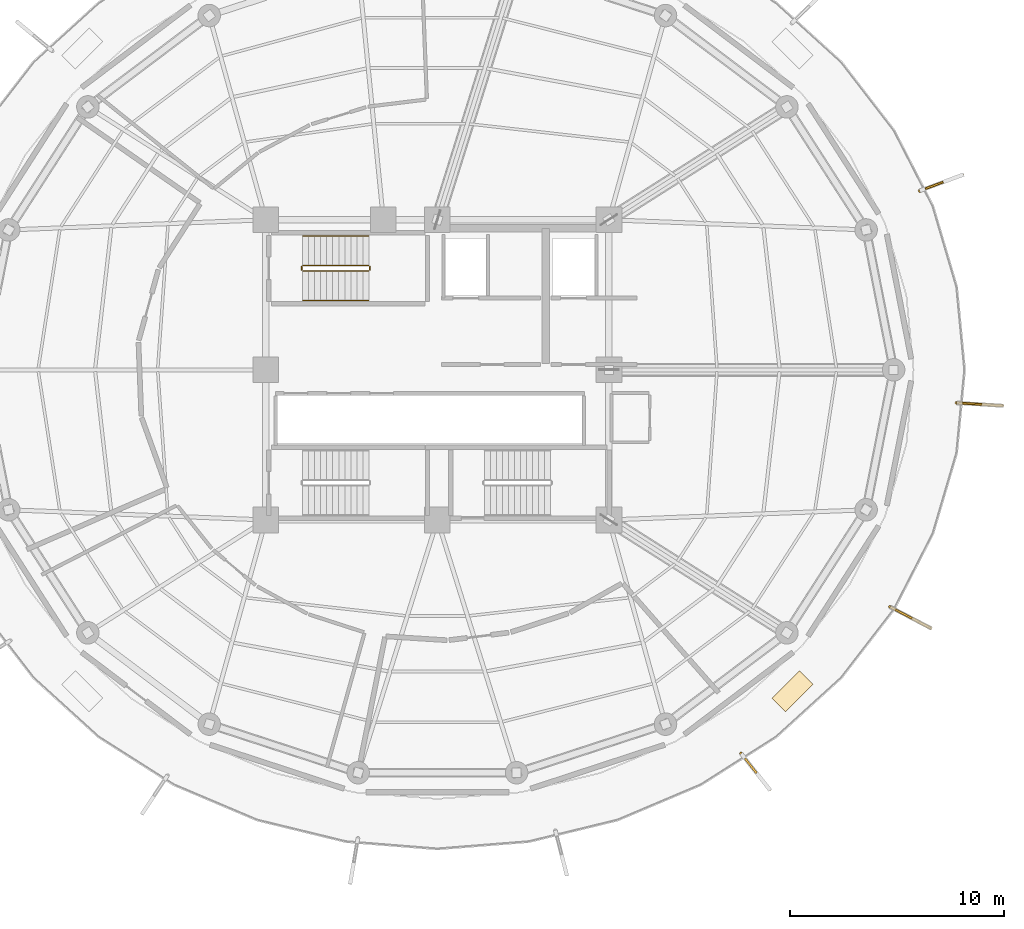
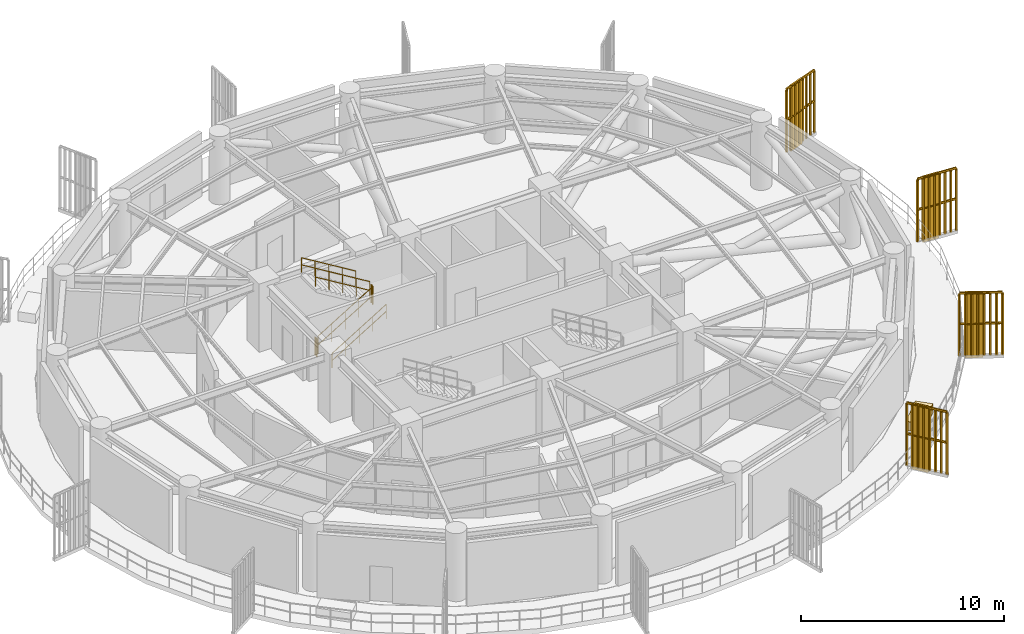
# One storey, part 9 of 10: 10 railings, 4 shading devices, 1 covering.
"""IFC4 building model written with IfcOpenShell, lengths in metres."""

from ifc_helpers import new_model, si_unit, direction, frame, origin, origin_2d, place, context, subcontext, project, spatial, polyline, rectangle, outline, extrude, source, transform, mapped, material, layer, layer_set, type_object, element, save


model = new_model("IFC4")

# Units and contexts
model_context = context("Model", 3, precision=1e-05, world=origin(), true_north=direction((0.0, 1.0)))
body_context = subcontext(model_context, "Body", "Model", "MODEL_VIEW")
ifc_project = project(units=[si_unit("LENGTHUNIT", "METRE"), si_unit("AREAUNIT", "SQUARE_METRE"), si_unit("VOLUMEUNIT", "CUBIC_METRE"), si_unit("PLANEANGLEUNIT", "RADIAN"), si_unit("MASSUNIT", "GRAM", prefix="KILO")], contexts=[model_context])

# Site, building, storey
site_placement = place(None, origin())
site = spatial("IfcSite", under=ifc_project, at=site_placement, CompositionType="ELEMENT")
building_placement = place(site_placement, origin())
building = spatial("IfcBuilding", under=site, at=building_placement, Name="Kelanora Arch Commons", CompositionType="ELEMENT")
storey_placement = place(building_placement, frame((0.0, 0.0, 189.110107421875)))
storey = spatial("IfcBuildingStorey", under=building, at=storey_placement, Name="L48", CompositionType="ELEMENT", Elevation=189.110107421875)

# Railings
ifc_material_1 = material(Name="Anodised bronze vertical shading fin rib assembly")
railing_type_1 = type_object("IfcRailingType", Name="RAIL-FIN-BRZ", PredefinedType="BALUSTRADE", material=ifc_material_1)
railing_1_placement = place(storey_placement, frame((95.109130859375, 46.948974609375, -0.02001953125)))
element("IfcRailing", 1, at=railing_1_placement, inside=storey, type_object=railing_type_1, Name="Sweeping Bronze Vertical Fin Blade L48-00", PredefinedType="BALUSTRADE", context=body_context, shape_type="SweptSolid", body=[
    extrude(outline(polyline([(0.06982421875, 0.0), (0.034912109375, 0.060546875), (-0.034912109375, 0.060546875), (-0.06982421875, 0.0), (-0.034912109375, -0.060546875), (0.034912109375, -0.060546875), (0.06982421875, 0.0)])), frame((0.0, 0.0, 3.76025390625), z_axis=(0.885903315573, -0.463869933772, 0.0), x_axis=(0.463869933772, 0.885903315573, 0.0)), (0.0, 0.0, 1.0), 2.1298828125),
    extrude(outline(polyline([(0.06982421875, 0.0), (0.034912109375, 0.060546875), (-0.034912109375, 0.060546875), (-0.06982421875, 0.0), (-0.034912109375, -0.060546875), (0.034912109375, -0.060546875), (0.06982421875, 0.0)])), frame((0.0, 0.0, 1.9150390625), z_axis=(0.885903315573, -0.463869933772, 0.0), x_axis=(0.463869933772, 0.885903315573, 0.0)), (0.0, 0.0, 1.0), 2.1298828125),
    extrude(outline(polyline([(0.080078125, 0.0), (0.0400390625, 0.0693359375), (-0.0400390625, 0.0693359375), (-0.080078125, 0.0), (-0.0400390625, -0.0693359375), (0.0400390625, -0.0693359375), (0.080078125, 0.0)])), origin(), (0.0, 0.0, 1.0), 3.690185546875),
    extrude(outline(polyline([(0.080078125, 0.0), (0.0400390625, 0.0693359375), (-0.0400390625, 0.0693359375), (-0.080078125, 0.0), (-0.0400390625, -0.0693359375), (0.0400390625, -0.0693359375), (0.080078125, 0.0)])), frame((0.26953125, -0.14111328125, 0.0)), (0.0, 0.0, 1.0), 3.690185546875),
    extrude(outline(polyline([(0.080078125, 0.0), (0.0400390625, 0.0693359375), (-0.0400390625, 0.0693359375), (-0.080078125, 0.0), (-0.0400390625, -0.0693359375), (0.0400390625, -0.0693359375), (0.080078125, 0.0)])), frame((0.5390625, -0.2822265625, 0.0)), (0.0, 0.0, 1.0), 3.690185546875),
    extrude(outline(polyline([(0.080078125, 0.0), (0.0400390625, 0.0693359375), (-0.0400390625, 0.0693359375), (-0.080078125, 0.0), (-0.0400390625, -0.0693359375), (0.0400390625, -0.0693359375), (0.080078125, 0.0)])), frame((0.80859375, -0.42333984375, 0.0)), (0.0, 0.0, 1.0), 3.690185546875),
    extrude(outline(polyline([(0.080078125, 0.0), (0.0400390625, 0.0693359375), (-0.0400390625, 0.0693359375), (-0.080078125, 0.0), (-0.0400390625, -0.0693359375), (0.0400390625, -0.0693359375), (0.080078125, 0.0)])), frame((1.078369140625, -0.564697265625, 0.0)), (0.0, 0.0, 1.0), 3.690185546875),
    extrude(outline(polyline([(0.080078125, 0.0), (0.0400390625, 0.0693359375), (-0.0400390625, 0.0693359375), (-0.080078125, 0.0), (-0.0400390625, -0.0693359375), (0.0400390625, -0.0693359375), (0.080078125, 0.0)])), frame((1.347900390625, -0.705810546875, 0.0)), (0.0, 0.0, 1.0), 3.690185546875),
    extrude(outline(polyline([(0.080078125, 0.0), (0.0400390625, 0.0693359375), (-0.0400390625, 0.0693359375), (-0.080078125, 0.0), (-0.0400390625, -0.0693359375), (0.0400390625, -0.0693359375), (0.080078125, 0.0)])), frame((1.617431640625, -0.846923828125, 0.0)), (0.0, 0.0, 1.0), 3.690185546875),
    extrude(outline(polyline([(0.080078125, 0.0), (0.0400390625, 0.0693359375), (-0.0400390625, 0.0693359375), (-0.080078125, 0.0), (-0.0400390625, -0.0693359375), (0.0400390625, -0.0693359375), (0.080078125, 0.0)])), frame((1.886962890625, -0.988037109375, 0.0)), (0.0, 0.0, 1.0), 3.690185546875),
])
railing_2_placement = place(storey_placement, frame((98.220703125, 56.462158203125, -0.02001953125)))
element("IfcRailing", 2, at=railing_2_placement, inside=storey, type_object=railing_type_1, Name="Sweeping Bronze Vertical Fin Blade L48-01", PredefinedType="BALUSTRADE", context=body_context, shape_type="SweptSolid", body=[
    extrude(outline(polyline([(0.06982421875, 0.0), (0.034912109375, 0.060546875), (-0.034912109375, 0.060546875), (-0.06982421875, 0.0), (-0.034912109375, -0.060546875), (0.034912109375, -0.060546875), (0.06982421875, 0.0)])), frame((0.0, 0.0, 3.76025390625), z_axis=(0.997989186873, -0.06338440569, 0.0), x_axis=(0.06338440569, 0.997989186873, 0.0)), (0.0, 0.0, 1.0), 2.130126953125),
    extrude(outline(polyline([(0.06982421875, 0.0), (0.034912109375, 0.060546875), (-0.034912109375, 0.060546875), (-0.06982421875, 0.0), (-0.034912109375, -0.060546875), (0.034912109375, -0.060546875), (0.06982421875, 0.0)])), frame((0.0, 0.0, 1.9150390625), z_axis=(0.997989186873, -0.06338440569, 0.0), x_axis=(0.06338440569, 0.997989186873, 0.0)), (0.0, 0.0, 1.0), 2.130126953125),
    extrude(outline(polyline([(0.080078125, 0.0), (0.0400390625, 0.0693359375), (-0.0400390625, 0.0693359375), (-0.080078125, 0.0), (-0.0400390625, -0.0693359375), (0.0400390625, -0.0693359375), (0.080078125, 0.0)])), origin(), (0.0, 0.0, 1.0), 3.690185546875),
    extrude(outline(polyline([(0.080078125, 0.0), (0.0400390625, 0.0693359375), (-0.0400390625, 0.0693359375), (-0.080078125, 0.0), (-0.0400390625, -0.0693359375), (0.0400390625, -0.0693359375), (0.080078125, 0.0)])), frame((0.3037109375, -0.019287109375, 0.0)), (0.0, 0.0, 1.0), 3.690185546875),
    extrude(outline(polyline([(0.080078125, 0.0), (0.0400390625, 0.0693359375), (-0.0400390625, 0.0693359375), (-0.080078125, 0.0), (-0.0400390625, -0.0693359375), (0.0400390625, -0.0693359375), (0.080078125, 0.0)])), frame((0.607421875, -0.03857421875, 0.0)), (0.0, 0.0, 1.0), 3.690185546875),
    extrude(outline(polyline([(0.080078125, 0.0), (0.0400390625, 0.0693359375), (-0.0400390625, 0.0693359375), (-0.080078125, 0.0), (-0.0400390625, -0.0693359375), (0.0400390625, -0.0693359375), (0.080078125, 0.0)])), frame((0.9111328125, -0.057861328125, 0.0)), (0.0, 0.0, 1.0), 3.690185546875),
    extrude(outline(polyline([(0.080078125, 0.0), (0.0400390625, 0.0693359375), (-0.0400390625, 0.0693359375), (-0.080078125, 0.0), (-0.0400390625, -0.0693359375), (0.0400390625, -0.0693359375), (0.080078125, 0.0)])), frame((1.214599609375, -0.0771484375, 0.0)), (0.0, 0.0, 1.0), 3.690185546875),
    extrude(outline(polyline([(0.080078125, 0.0), (0.0400390625, 0.0693359375), (-0.0400390625, 0.0693359375), (-0.080078125, 0.0), (-0.0400390625, -0.0693359375), (0.0400390625, -0.0693359375), (0.080078125, 0.0)])), frame((1.518310546875, -0.096435546875, 0.0)), (0.0, 0.0, 1.0), 3.690185546875),
    extrude(outline(polyline([(0.080078125, 0.0), (0.0400390625, 0.0693359375), (-0.0400390625, 0.0693359375), (-0.080078125, 0.0), (-0.0400390625, -0.0693359375), (0.0400390625, -0.0693359375), (0.080078125, 0.0)])), frame((1.822021484375, -0.11572265625, 0.0)), (0.0, 0.0, 1.0), 3.690185546875),
    extrude(outline(polyline([(0.080078125, 0.0), (0.0400390625, 0.0693359375), (-0.0400390625, 0.0693359375), (-0.080078125, 0.0), (-0.0400390625, -0.0693359375), (0.0400390625, -0.0693359375), (0.080078125, 0.0)])), frame((2.125732421875, -0.135009765625, 0.0)), (0.0, 0.0, 1.0), 3.690185546875),
])
railing_3_placement = place(storey_placement, frame((96.49658203125, 66.351806640625, -0.02001953125)))
element("IfcRailing", 3, at=railing_3_placement, inside=storey, type_object=railing_type_1, Name="Sweeping Bronze Vertical Fin Blade L48-02", PredefinedType="BALUSTRADE", context=body_context, shape_type="SweptSolid", body=[
    extrude(outline(polyline([(0.06982421875, 0.0), (0.034912109375, 0.060546875), (-0.034912109375, 0.060546875), (-0.06982421875, 0.0), (-0.034912109375, -0.060546875), (0.034912109375, -0.060546875), (0.06982421875, 0.0)])), frame((0.0, 0.0, 3.76025390625), z_axis=(0.937496870643, 0.347993703298, 0.0), x_axis=(-0.347993703298, 0.937496870643, 0.0)), (0.0, 0.0, 1.0), 2.1298828125),
    extrude(outline(polyline([(0.06982421875, 0.0), (0.034912109375, 0.060546875), (-0.034912109375, 0.060546875), (-0.06982421875, 0.0), (-0.034912109375, -0.060546875), (0.034912109375, -0.060546875), (0.06982421875, 0.0)])), frame((0.0, 0.0, 1.9150390625), z_axis=(0.937496870643, 0.347993703298, 0.0), x_axis=(-0.347993703298, 0.937496870643, 0.0)), (0.0, 0.0, 1.0), 2.1298828125),
    extrude(outline(polyline([(0.080078125, 0.0), (0.0400390625, 0.0693359375), (-0.0400390625, 0.0693359375), (-0.080078125, 0.0), (-0.0400390625, -0.0693359375), (0.0400390625, -0.0693359375), (0.080078125, 0.0)])), origin(), (0.0, 0.0, 1.0), 3.690185546875),
    extrude(outline(polyline([(0.080078125, 0.0), (0.0400390625, 0.0693359375), (-0.0400390625, 0.0693359375), (-0.080078125, 0.0), (-0.0400390625, -0.0693359375), (0.0400390625, -0.0693359375), (0.080078125, 0.0)])), frame((0.28515625, 0.10595703125, 0.0)), (0.0, 0.0, 1.0), 3.690185546875),
    extrude(outline(polyline([(0.080078125, 0.0), (0.0400390625, 0.0693359375), (-0.0400390625, 0.0693359375), (-0.080078125, 0.0), (-0.0400390625, -0.0693359375), (0.0400390625, -0.0693359375), (0.080078125, 0.0)])), frame((0.570556640625, 0.211669921875, 0.0)), (0.0, 0.0, 1.0), 3.690185546875),
    extrude(outline(polyline([(0.080078125, 0.0), (0.0400390625, 0.0693359375), (-0.0400390625, 0.0693359375), (-0.080078125, 0.0), (-0.0400390625, -0.0693359375), (0.0400390625, -0.0693359375), (0.080078125, 0.0)])), frame((0.855712890625, 0.317626953125, 0.0)), (0.0, 0.0, 1.0), 3.690185546875),
    extrude(outline(polyline([(0.080078125, 0.0), (0.0400390625, 0.0693359375), (-0.0400390625, 0.0693359375), (-0.080078125, 0.0), (-0.0400390625, -0.0693359375), (0.0400390625, -0.0693359375), (0.080078125, 0.0)])), frame((1.14111328125, 0.423583984375, 0.0)), (0.0, 0.0, 1.0), 3.690185546875),
    extrude(outline(polyline([(0.080078125, 0.0), (0.0400390625, 0.0693359375), (-0.0400390625, 0.0693359375), (-0.080078125, 0.0), (-0.0400390625, -0.0693359375), (0.0400390625, -0.0693359375), (0.080078125, 0.0)])), frame((1.42626953125, 0.529541015625, 0.0)), (0.0, 0.0, 1.0), 3.690185546875),
    extrude(outline(polyline([(0.080078125, 0.0), (0.0400390625, 0.0693359375), (-0.0400390625, 0.0693359375), (-0.080078125, 0.0), (-0.0400390625, -0.0693359375), (0.0400390625, -0.0693359375), (0.080078125, 0.0)])), frame((1.711669921875, 0.63525390625, 0.0)), (0.0, 0.0, 1.0), 3.690185546875),
    extrude(outline(polyline([(0.080078125, 0.0), (0.0400390625, 0.0693359375), (-0.0400390625, 0.0693359375), (-0.080078125, 0.0), (-0.0400390625, -0.0693359375), (0.0400390625, -0.0693359375), (0.080078125, 0.0)])), frame((1.996826171875, 0.7412109375, 0.0)), (0.0, 0.0, 1.0), 3.690185546875),
])
railing_4_placement = place(storey_placement, frame((88.167724609375, 40.103515625, -0.02001953125)))
element("IfcRailing", 4, at=railing_4_placement, inside=storey, type_object=railing_type_1, Name="Sweeping Bronze Vertical Fin Blade L48-14", PredefinedType="BALUSTRADE", context=body_context, shape_type="SweptSolid", body=[
    extrude(outline(polyline([(0.06982421875, 0.0), (0.034912109375, 0.060546875), (-0.034912109375, 0.060546875), (-0.06982421875, 0.0), (-0.034912109375, -0.060546875), (0.034912109375, -0.060546875), (0.06982421875, 0.0)])), frame((0.0, 0.0, 3.76025390625), z_axis=(0.620702944366, -0.784045824462, 0.0), x_axis=(0.784045824462, 0.620702944366, 0.0)), (0.0, 0.0, 1.0), 2.1298828125),
    extrude(outline(polyline([(0.06982421875, 0.0), (0.034912109375, 0.060546875), (-0.034912109375, 0.060546875), (-0.06982421875, 0.0), (-0.034912109375, -0.060546875), (0.034912109375, -0.060546875), (0.06982421875, 0.0)])), frame((0.0, 0.0, 1.9150390625), z_axis=(0.620702944366, -0.784045824462, 0.0), x_axis=(0.784045824462, 0.620702944366, 0.0)), (0.0, 0.0, 1.0), 2.1298828125),
    extrude(outline(polyline([(0.080078125, 0.0), (0.0400390625, 0.0693359375), (-0.0400390625, 0.0693359375), (-0.080078125, 0.0), (-0.0400390625, -0.0693359375), (0.0400390625, -0.0693359375), (0.080078125, 0.0)])), origin(), (0.0, 0.0, 1.0), 3.690185546875),
    extrude(outline(polyline([(0.080078125, 0.0), (0.0400390625, 0.0693359375), (-0.0400390625, 0.0693359375), (-0.080078125, 0.0), (-0.0400390625, -0.0693359375), (0.0400390625, -0.0693359375), (0.080078125, 0.0)])), frame((0.18896484375, -0.238525390625, 0.0)), (0.0, 0.0, 1.0), 3.690185546875),
    extrude(outline(polyline([(0.080078125, 0.0), (0.0400390625, 0.0693359375), (-0.0400390625, 0.0693359375), (-0.080078125, 0.0), (-0.0400390625, -0.0693359375), (0.0400390625, -0.0693359375), (0.080078125, 0.0)])), frame((0.377685546875, -0.47705078125, 0.0)), (0.0, 0.0, 1.0), 3.690185546875),
    extrude(outline(polyline([(0.080078125, 0.0), (0.0400390625, 0.0693359375), (-0.0400390625, 0.0693359375), (-0.080078125, 0.0), (-0.0400390625, -0.0693359375), (0.0400390625, -0.0693359375), (0.080078125, 0.0)])), frame((0.566650390625, -0.715576171875, 0.0)), (0.0, 0.0, 1.0), 3.690185546875),
    extrude(outline(polyline([(0.080078125, 0.0), (0.0400390625, 0.0693359375), (-0.0400390625, 0.0693359375), (-0.080078125, 0.0), (-0.0400390625, -0.0693359375), (0.0400390625, -0.0693359375), (0.080078125, 0.0)])), frame((0.75537109375, -0.954345703125, 0.0)), (0.0, 0.0, 1.0), 3.690185546875),
    extrude(outline(polyline([(0.080078125, 0.0), (0.0400390625, 0.0693359375), (-0.0400390625, 0.0693359375), (-0.080078125, 0.0), (-0.0400390625, -0.0693359375), (0.0400390625, -0.0693359375), (0.080078125, 0.0)])), frame((0.9443359375, -1.19287109375, 0.0)), (0.0, 0.0, 1.0), 3.690185546875),
    extrude(outline(polyline([(0.080078125, 0.0), (0.0400390625, 0.0693359375), (-0.0400390625, 0.0693359375), (-0.080078125, 0.0), (-0.0400390625, -0.0693359375), (0.0400390625, -0.0693359375), (0.080078125, 0.0)])), frame((1.133056640625, -1.431396484375, 0.0)), (0.0, 0.0, 1.0), 3.690185546875),
    extrude(outline(polyline([(0.080078125, 0.0), (0.0400390625, 0.0693359375), (-0.0400390625, 0.0693359375), (-0.080078125, 0.0), (-0.0400390625, -0.0693359375), (0.0400390625, -0.0693359375), (0.080078125, 0.0)])), frame((1.322021484375, -1.669921875, 0.0)), (0.0, 0.0, 1.0), 3.690185546875),
])
ifc_material_2 = material(Name="Painted steel stair well guard", Category="steel")
railing_type_2 = type_object("IfcRailingType", Name="RAIL-STAIR-GRD", PredefinedType="GUARDRAIL", material=ifc_material_2)
railing_5_placement = place(storey_placement, frame((67.719970703125, 62.610107421875, 0.17041015625)))
element("IfcRailing", 5, at=railing_5_placement, inside=storey, type_object=railing_type_2, Name="L48 ST-T1 stair guard 1", PredefinedType="GUARDRAIL", context=body_context, shape_type="SweptSolid", body=[
    extrude(outline(polyline([(0.02392578125, 0.0), (0.011962890625, 0.020751953125), (-0.011962890625, 0.020751953125), (-0.02392578125, 0.0), (-0.011962890625, -0.020751953125), (0.011962890625, -0.020751953125), (0.02392578125, 0.0)])), frame((0.0, 0.0, 1.076171875), z_axis=(0.854237778674, 0.0, 0.51988250354), x_axis=(0.0, 1.0, 0.0)), (0.0, 0.0, 1.0), 3.605712890625),
    extrude(outline(polyline([(0.02392578125, 0.0), (0.011962890625, 0.020751953125), (-0.011962890625, 0.020751953125), (-0.02392578125, 0.0), (-0.011962890625, -0.020751953125), (0.011962890625, -0.020751953125), (0.02392578125, 0.0)])), frame((0.0, 0.0, 0.550048828125), z_axis=(0.854237778674, 0.0, 0.51988250354), x_axis=(0.0, 1.0, 0.0)), (0.0, 0.0, 1.0), 3.605712890625),
    extrude(outline(polyline([(0.02099609375, 0.0), (0.010498046875, 0.01806640625), (-0.010498046875, 0.01806640625), (-0.02099609375, 0.0), (-0.010498046875, -0.01806640625), (0.010498046875, -0.01806640625), (0.02099609375, 0.0)])), origin(), (0.0, 0.0, 1.0), 1.052001953125),
    extrude(outline(polyline([(0.02099609375, 0.0), (0.010498046875, 0.01806640625), (-0.010498046875, 0.01806640625), (-0.02099609375, 0.0), (-0.010498046875, -0.01806640625), (0.010498046875, -0.01806640625), (0.02099609375, 0.0)])), frame((0.77001953125, 0.0, 0.46875)), (0.0, 0.0, 1.0), 1.052001953125),
    extrude(outline(polyline([(0.02099609375, 0.0), (0.010498046875, 0.01806640625), (-0.010498046875, 0.01806640625), (-0.02099609375, 0.0), (-0.010498046875, -0.01806640625), (0.010498046875, -0.01806640625), (0.02099609375, 0.0)])), frame((1.5400390625, 0.0, 0.937255859375)), (0.0, 0.0, 1.0), 1.052001953125),
    extrude(outline(polyline([(0.02099609375, 0.0), (0.010498046875, 0.01806640625), (-0.010498046875, 0.01806640625), (-0.02099609375, 0.0), (-0.010498046875, -0.01806640625), (0.010498046875, -0.01806640625), (0.02099609375, 0.0)])), frame((2.31005859375, 0.0, 1.40576171875)), (0.0, 0.0, 1.0), 1.052001953125),
    extrude(outline(polyline([(0.02099609375, 0.0), (0.010498046875, 0.01806640625), (-0.010498046875, 0.01806640625), (-0.02099609375, 0.0), (-0.010498046875, -0.01806640625), (0.010498046875, -0.01806640625), (0.02099609375, 0.0)])), frame((3.080078125, 0.0, 1.87451171875)), (0.0, 0.0, 1.0), 1.052001953125),
])
railing_6_placement = place(storey_placement, frame((70.85009765625, 62.659912109375, 2.044921875)))
element("IfcRailing", 6, at=railing_6_placement, inside=storey, type_object=railing_type_2, Name="L48 ST-T1 stair guard 2", PredefinedType="GUARDRAIL", context=body_context, shape_type="SweptSolid", body=[
    extrude(outline(polyline([(0.02392578125, 0.0), (0.011962890625, 0.020751953125), (-0.011962890625, 0.020751953125), (-0.02392578125, 0.0), (-0.011962890625, -0.020751953125), (0.011962890625, -0.020751953125), (0.02392578125, 0.0)])), frame((0.0, 0.0, 1.076171875), z_axis=(0.0, 1.0, 0.0), x_axis=(-1.0, 0.0, 0.0)), (0.0, 0.0, 1.0), 0.150146484375),
    extrude(outline(polyline([(0.02392578125, 0.0), (0.011962890625, 0.020751953125), (-0.011962890625, 0.020751953125), (-0.02392578125, 0.0), (-0.011962890625, -0.020751953125), (0.011962890625, -0.020751953125), (0.02392578125, 0.0)])), frame((0.0, 0.0, 0.550048828125), z_axis=(0.0, 1.0, 0.0), x_axis=(-1.0, 0.0, 0.0)), (0.0, 0.0, 1.0), 0.150146484375),
    extrude(outline(polyline([(0.02099609375, 0.0), (0.010498046875, 0.01806640625), (-0.010498046875, 0.01806640625), (-0.02099609375, 0.0), (-0.010498046875, -0.01806640625), (0.010498046875, -0.01806640625), (0.02099609375, 0.0)])), origin(), (0.0, 0.0, 1.0), 1.052001953125),
    extrude(outline(polyline([(0.02099609375, 0.0), (0.010498046875, 0.01806640625), (-0.010498046875, 0.01806640625), (-0.02099609375, 0.0), (-0.010498046875, -0.01806640625), (0.010498046875, -0.01806640625), (0.02099609375, 0.0)])), frame((0.0, 0.150146484375, 0.0)), (0.0, 0.0, 1.0), 1.052001953125),
])
railing_7_placement = place(storey_placement, frame((70.800048828125, 62.860107421875, 2.21533203125)))
element("IfcRailing", 7, at=railing_7_placement, inside=storey, type_object=railing_type_2, Name="L48 ST-T1 stair guard 3", PredefinedType="GUARDRAIL", context=body_context, shape_type="SweptSolid", body=[
    extrude(outline(polyline([(0.02392578125, 0.0), (0.011962890625, 0.020751953125), (-0.011962890625, 0.020751953125), (-0.02392578125, 0.0), (-0.011962890625, -0.020751953125), (0.011962890625, -0.020751953125), (0.02392578125, 0.0)])), frame((0.0, 0.0, 1.076171875), z_axis=(-0.854237778674, 0.0, 0.51988250354), x_axis=(0.0, -1.0, 0.0)), (0.0, 0.0, 1.0), 3.605712890625),
    extrude(outline(polyline([(0.02392578125, 0.0), (0.011962890625, 0.020751953125), (-0.011962890625, 0.020751953125), (-0.02392578125, 0.0), (-0.011962890625, -0.020751953125), (0.011962890625, -0.020751953125), (0.02392578125, 0.0)])), frame((0.0, 0.0, 0.550048828125), z_axis=(-0.854237778674, 0.0, 0.51988250354), x_axis=(0.0, -1.0, 0.0)), (0.0, 0.0, 1.0), 3.605712890625),
    extrude(outline(polyline([(0.02099609375, 0.0), (0.010498046875, 0.01806640625), (-0.010498046875, 0.01806640625), (-0.02099609375, 0.0), (-0.010498046875, -0.01806640625), (0.010498046875, -0.01806640625), (0.02099609375, 0.0)])), origin(), (0.0, 0.0, 1.0), 1.052001953125),
    extrude(outline(polyline([(0.02099609375, 0.0), (0.010498046875, 0.01806640625), (-0.010498046875, 0.01806640625), (-0.02099609375, 0.0), (-0.010498046875, -0.01806640625), (0.010498046875, -0.01806640625), (0.02099609375, 0.0)])), frame((-0.77001953125, 0.0, 0.46875)), (0.0, 0.0, 1.0), 1.052001953125),
    extrude(outline(polyline([(0.02099609375, 0.0), (0.010498046875, 0.01806640625), (-0.010498046875, 0.01806640625), (-0.02099609375, 0.0), (-0.010498046875, -0.01806640625), (0.010498046875, -0.01806640625), (0.02099609375, 0.0)])), frame((-1.5400390625, 0.0, 0.937255859375)), (0.0, 0.0, 1.0), 1.052001953125),
    extrude(outline(polyline([(0.02099609375, 0.0), (0.010498046875, 0.01806640625), (-0.010498046875, 0.01806640625), (-0.02099609375, 0.0), (-0.010498046875, -0.01806640625), (0.010498046875, -0.01806640625), (0.02099609375, 0.0)])), frame((-2.31005859375, 0.0, 1.40576171875)), (0.0, 0.0, 1.0), 1.052001953125),
    extrude(outline(polyline([(0.02099609375, 0.0), (0.010498046875, 0.01806640625), (-0.010498046875, 0.01806640625), (-0.02099609375, 0.0), (-0.010498046875, -0.01806640625), (0.010498046875, -0.01806640625), (0.02099609375, 0.0)])), frame((-3.080078125, 0.0, 1.87451171875)), (0.0, 0.0, 1.0), 1.052001953125),
])
railing_8_placement = place(storey_placement, frame((67.669921875, 62.659912109375, 0.0)))
element("IfcRailing", 8, at=railing_8_placement, inside=storey, type_object=railing_type_2, Name="L48 ST-T1 stair guard 4", PredefinedType="GUARDRAIL", context=body_context, shape_type="SweptSolid", body=[
    extrude(outline(polyline([(0.02392578125, 0.0), (0.011962890625, 0.020751953125), (-0.011962890625, 0.020751953125), (-0.02392578125, 0.0), (-0.011962890625, -0.020751953125), (0.011962890625, -0.020751953125), (0.02392578125, 0.0)])), frame((0.0, 0.0, 1.076171875), z_axis=(0.0, 1.0, 0.0), x_axis=(-1.0, 0.0, 0.0)), (0.0, 0.0, 1.0), 0.150146484375),
    extrude(outline(polyline([(0.02392578125, 0.0), (0.011962890625, 0.020751953125), (-0.011962890625, 0.020751953125), (-0.02392578125, 0.0), (-0.011962890625, -0.020751953125), (0.011962890625, -0.020751953125), (0.02392578125, 0.0)])), frame((0.0, 0.0, 0.550048828125), z_axis=(0.0, 1.0, 0.0), x_axis=(-1.0, 0.0, 0.0)), (0.0, 0.0, 1.0), 0.150146484375),
    extrude(outline(polyline([(0.02099609375, 0.0), (0.010498046875, 0.01806640625), (-0.010498046875, 0.01806640625), (-0.02099609375, 0.0), (-0.010498046875, -0.01806640625), (0.010498046875, -0.01806640625), (0.02099609375, 0.0)])), origin(), (0.0, 0.0, 1.0), 1.052001953125),
    extrude(outline(polyline([(0.02099609375, 0.0), (0.010498046875, 0.01806640625), (-0.010498046875, 0.01806640625), (-0.02099609375, 0.0), (-0.010498046875, -0.01806640625), (0.010498046875, -0.01806640625), (0.02099609375, 0.0)])), frame((0.0, 0.150146484375, 0.0)), (0.0, 0.0, 1.0), 1.052001953125),
])
ifc_material_3 = material(Name="Brushed stainless steel stair handrail", Category="steel")
railing_type_3 = type_object("IfcRailingType", Name="RAIL-STAIR-HND", PredefinedType="HANDRAIL", material=ifc_material_3)
railing_9_placement = place(storey_placement, frame((67.719970703125, 61.22998046875, 0.17041015625)))
element("IfcRailing", 9, at=railing_9_placement, inside=storey, type_object=railing_type_3, Name="L48 ST-T1 stair handrail 1", PredefinedType="HANDRAIL", context=body_context, shape_type="SweptSolid", body=[
    extrude(outline(polyline([(0.02392578125, 0.0), (0.011962890625, 0.020751953125), (-0.011962890625, 0.020751953125), (-0.02392578125, 0.0), (-0.011962890625, -0.020751953125), (0.011962890625, -0.020751953125), (0.02392578125, 0.0)])), frame((0.0, 0.0, 0.8759765625), z_axis=(0.854237778674, 0.0, 0.51988250354), x_axis=(0.0, 1.0, 0.0)), (0.0, 0.0, 1.0), 3.605712890625),
    extrude(outline(polyline([(0.02392578125, 0.0), (0.011962890625, 0.020751953125), (-0.011962890625, 0.020751953125), (-0.02392578125, 0.0), (-0.011962890625, -0.020751953125), (0.011962890625, -0.020751953125), (0.02392578125, 0.0)])), frame((0.0, 0.0, 0.449951171875), z_axis=(0.854237778674, 0.0, 0.51988250354), x_axis=(0.0, 1.0, 0.0)), (0.0, 0.0, 1.0), 3.605712890625),
    extrude(outline(polyline([(0.02099609375, 0.0), (0.010498046875, 0.01806640625), (-0.010498046875, 0.01806640625), (-0.02099609375, 0.0), (-0.010498046875, -0.01806640625), (0.010498046875, -0.01806640625), (0.02099609375, 0.0)])), origin(), (0.0, 0.0, 1.0), 0.851806640625),
    extrude(outline(polyline([(0.02099609375, 0.0), (0.010498046875, 0.01806640625), (-0.010498046875, 0.01806640625), (-0.02099609375, 0.0), (-0.010498046875, -0.01806640625), (0.010498046875, -0.01806640625), (0.02099609375, 0.0)])), frame((0.77001953125, 0.0, 0.46875)), (0.0, 0.0, 1.0), 0.851806640625),
    extrude(outline(polyline([(0.02099609375, 0.0), (0.010498046875, 0.01806640625), (-0.010498046875, 0.01806640625), (-0.02099609375, 0.0), (-0.010498046875, -0.01806640625), (0.010498046875, -0.01806640625), (0.02099609375, 0.0)])), frame((1.5400390625, 0.0, 0.937255859375)), (0.0, 0.0, 1.0), 0.851806640625),
    extrude(outline(polyline([(0.02099609375, 0.0), (0.010498046875, 0.01806640625), (-0.010498046875, 0.01806640625), (-0.02099609375, 0.0), (-0.010498046875, -0.01806640625), (0.010498046875, -0.01806640625), (0.02099609375, 0.0)])), frame((2.31005859375, 0.0, 1.40576171875)), (0.0, 0.0, 1.0), 0.851806640625),
    extrude(outline(polyline([(0.02099609375, 0.0), (0.010498046875, 0.01806640625), (-0.010498046875, 0.01806640625), (-0.02099609375, 0.0), (-0.010498046875, -0.01806640625), (0.010498046875, -0.01806640625), (0.02099609375, 0.0)])), frame((3.080078125, 0.0, 1.87451171875)), (0.0, 0.0, 1.0), 0.851806640625),
])
railing_10_placement = place(storey_placement, frame((70.800048828125, 64.239990234375, 2.21533203125)))
element("IfcRailing", 10, at=railing_10_placement, inside=storey, type_object=railing_type_3, Name="L48 ST-T1 stair handrail 2", PredefinedType="HANDRAIL", context=body_context, shape_type="SweptSolid", body=[
    extrude(outline(polyline([(0.02392578125, 0.0), (0.011962890625, 0.020751953125), (-0.011962890625, 0.020751953125), (-0.02392578125, 0.0), (-0.011962890625, -0.020751953125), (0.011962890625, -0.020751953125), (0.02392578125, 0.0)])), frame((0.0, 0.0, 0.8759765625), z_axis=(-0.854237778674, 0.0, 0.51988250354), x_axis=(0.0, -1.0, 0.0)), (0.0, 0.0, 1.0), 3.605712890625),
    extrude(outline(polyline([(0.02392578125, 0.0), (0.011962890625, 0.020751953125), (-0.011962890625, 0.020751953125), (-0.02392578125, 0.0), (-0.011962890625, -0.020751953125), (0.011962890625, -0.020751953125), (0.02392578125, 0.0)])), frame((0.0, 0.0, 0.449951171875), z_axis=(-0.854237778674, 0.0, 0.51988250354), x_axis=(0.0, -1.0, 0.0)), (0.0, 0.0, 1.0), 3.605712890625),
    extrude(outline(polyline([(0.02099609375, 0.0), (0.010498046875, 0.01806640625), (-0.010498046875, 0.01806640625), (-0.02099609375, 0.0), (-0.010498046875, -0.01806640625), (0.010498046875, -0.01806640625), (0.02099609375, 0.0)])), origin(), (0.0, 0.0, 1.0), 0.851806640625),
    extrude(outline(polyline([(0.02099609375, 0.0), (0.010498046875, 0.01806640625), (-0.010498046875, 0.01806640625), (-0.02099609375, 0.0), (-0.010498046875, -0.01806640625), (0.010498046875, -0.01806640625), (0.02099609375, 0.0)])), frame((-0.77001953125, 0.0, 0.46875)), (0.0, 0.0, 1.0), 0.851806640625),
    extrude(outline(polyline([(0.02099609375, 0.0), (0.010498046875, 0.01806640625), (-0.010498046875, 0.01806640625), (-0.02099609375, 0.0), (-0.010498046875, -0.01806640625), (0.010498046875, -0.01806640625), (0.02099609375, 0.0)])), frame((-1.5400390625, 0.0, 0.937255859375)), (0.0, 0.0, 1.0), 0.851806640625),
    extrude(outline(polyline([(0.02099609375, 0.0), (0.010498046875, 0.01806640625), (-0.010498046875, 0.01806640625), (-0.02099609375, 0.0), (-0.010498046875, -0.01806640625), (0.010498046875, -0.01806640625), (0.02099609375, 0.0)])), frame((-2.31005859375, 0.0, 1.40576171875)), (0.0, 0.0, 1.0), 0.851806640625),
    extrude(outline(polyline([(0.02099609375, 0.0), (0.010498046875, 0.01806640625), (-0.010498046875, 0.01806640625), (-0.02099609375, 0.0), (-0.010498046875, -0.01806640625), (0.010498046875, -0.01806640625), (0.02099609375, 0.0)])), frame((-3.080078125, 0.0, 1.87451171875)), (0.0, 0.0, 1.0), 0.851806640625),
])

# Covering
ifc_material_4 = material(Name="Architectural terracotta planter bed with planting soil", Category="masonry")
ifc_layer = layer(ifc_material_4, 0.550048828125)
ifc_layer_set = layer_set([ifc_layer], Name="Architectural terracotta planter bed with planting soil")
covering_type = type_object("IfcCoveringType", Name="COV-PLANTER", PredefinedType="USERDEFINED", material=ifc_layer_set)
shared_shape_1 = source(origin(), body_context, "Body", "SweptSolid", [
    extrude(rectangle(XDim=1.800048828125, YDim=0.89990234375, at=origin_2d()), origin(), (0.0, 0.0, 1.0), 0.550048828125),
])
covering_placement = place(storey_placement, frame((90.56396484375, 43.00927734375, 0.0), z_axis=(0.0, 0.0, 1.0), x_axis=(0.707106781187, 0.707106781187, 0.0)))
element("IfcCovering", 11, at=covering_placement, inside=storey, type_object=covering_type, Name="Sky-Terrace Planter L48-4", ObjectType="PLANTER", PredefinedType="USERDEFINED", context=body_context, shape_type="MappedRepresentation", body=[
    mapped(shared_shape_1, transform((0.0, 0.0, 0.0), scale=1.0)),
])

# Shading devices
ifc_material_5 = material(Name="Terracotta ceramic-clad extruded aluminium fin", Category="masonry")
shading_device_type = type_object("IfcShadingDeviceType", Name="SHD-FIN-FLARE", PredefinedType="USERDEFINED", material=ifc_material_5)
shared_shape_2 = source(origin(), body_context, "Body", "SweptSolid", [
    extrude(rectangle(XDim=0.8798828125, YDim=0.090087890625, at=origin_2d()), origin(), (0.0, 0.0, 1.0), 3.949951171875),
])
for number, where, z_axis, x_axis, name in (
    (12, (95.7470703125, 46.614990234375, -0.14013671875), (0.0, 0.0, 1.0), (0.885960876527, -0.4637599867, 0.0), "Sweeping Terracotta Fin L48-00"),
    (13, (98.939208984375, 56.41650390625, -0.14013671875), (0.0, 0.0, 1.0), (0.997993714583, -0.063313076471, 0.0), "Sweeping Terracotta Fin L48-01"),
    (14, (97.171630859375, 66.602294921875, -0.14013671875), (0.0, 0.0, 1.0), (0.9374643729, 0.348081239861, 0.0), "Sweeping Terracotta Fin L48-02"),
    (15, (88.614501953125, 39.5390625, -0.14013671875), (0.0, 0.0, 1.0), (0.620737354217, -0.784018582101, 0.0), "Sweeping Terracotta Fin L48-14"),
):
    element("IfcShadingDevice", number, at=place(storey_placement, frame(where, z_axis=z_axis, x_axis=x_axis)), inside=storey, type_object=shading_device_type, Name=name, ObjectType="FIN", PredefinedType="USERDEFINED", context=body_context, shape_type="MappedRepresentation", body=[
        mapped(shared_shape_2, transform((0.0, 0.0, 0.0), scale=1.0)),
    ])

save(model, "model.ifc")
